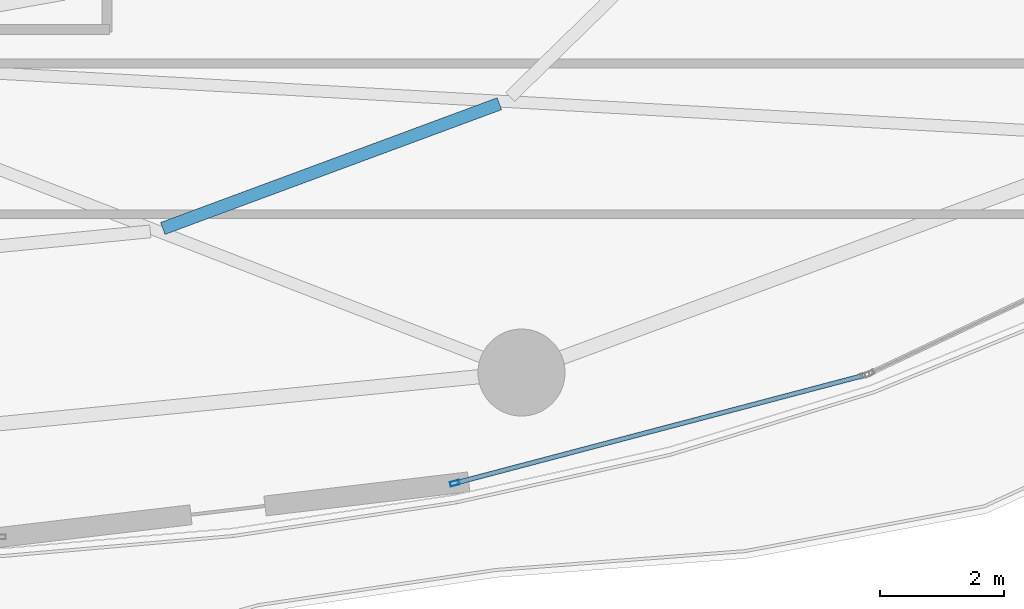
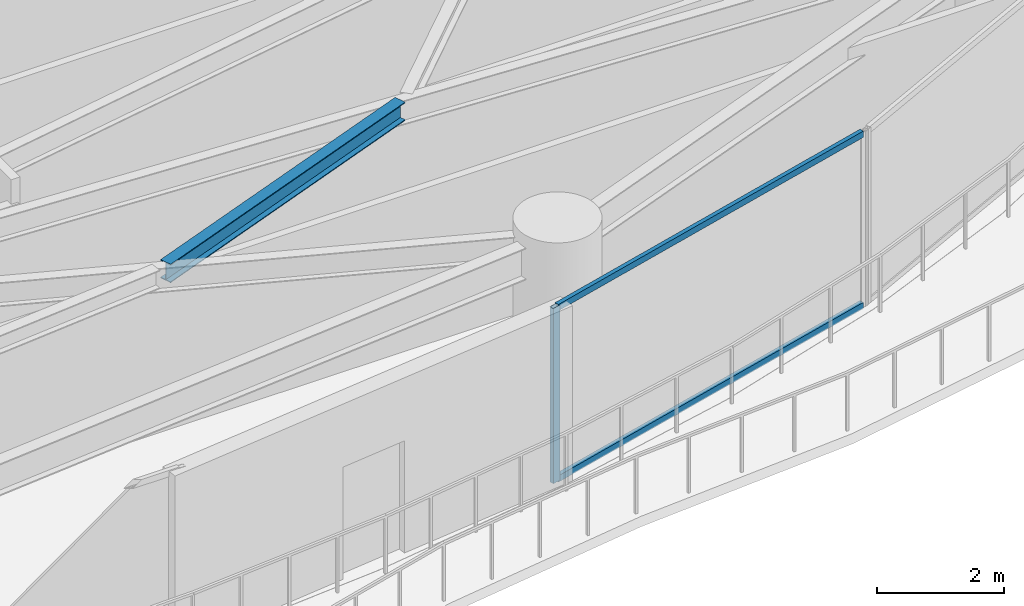
# One storey, part 12 of 31: 3 members, 1 beam, 1 element without a shape of its own.
"""IFC4 building model written with IfcOpenShell, lengths in metres."""

from ifc_helpers import new_model, si_unit, direction, frame, origin, origin_2d, place, context, subcontext, project, spatial, hollow_rectangle, i_section, extrude, material, layer, layer_set, material_profile, profile_set, type_object, element, aggregate, save


model = new_model("IFC4")

# Units and contexts
model_context = context("Model", 3, precision=1e-05, world=origin(), true_north=direction((0.0, 1.0)))
body_context = subcontext(model_context, "Body", "Model", "MODEL_VIEW")
ifc_project = project(units=[si_unit("LENGTHUNIT", "METRE"), si_unit("AREAUNIT", "SQUARE_METRE"), si_unit("VOLUMEUNIT", "CUBIC_METRE"), si_unit("PLANEANGLEUNIT", "RADIAN"), si_unit("MASSUNIT", "GRAM", prefix="KILO")], contexts=[model_context])

# Site, building, storey
site_placement = place(None, origin())
site = spatial("IfcSite", under=ifc_project, at=site_placement, CompositionType="ELEMENT")
building_placement = place(site_placement, origin())
building = spatial("IfcBuilding", under=site, at=building_placement, Name="Kazevale Care Tower and Concert Hall", CompositionType="ELEMENT")
storey_placement = place(building_placement, frame((0.0, 0.0, 81.60009765625)))
storey = spatial("IfcBuildingStorey", under=building, at=storey_placement, Name="L21", CompositionType="ELEMENT", Elevation=81.60009765625)

# Curtain wall, members
ifc_material_1 = material(Name="Aluminium 6063-T6 and Low-E Glass", Category="aluminium")
ifc_layer = layer(ifc_material_1, 0.179931640625)
ifc_layer_set = layer_set([ifc_layer], Name="Aluminium 6063-T6 and Low-E Glass")
curtain_wall_type = type_object("IfcCurtainWallType", Name="Sheltered Concave Balcony Curtain Wall CW-5", PredefinedType="NOTDEFINED", material=ifc_layer_set)
curtain_wall_placement = place(storey_placement, origin())
curtain_wall = element("IfcCurtainWall", 1, at=curtain_wall_placement, inside=storey, type_object=curtain_wall_type, Name="cw:L21:f04", PredefinedType="NOTDEFINED")
ifc_material_2 = material(Name="Aluminium 6063-T6", Category="aluminium")
ifc_material_profile_1 = material_profile(ifc_material_2, hollow_rectangle(XDim=0.074951171875, YDim=0.14990234375, WallThickness=0.00390625, at=origin_2d()), Name="ALU75x150x4")
ifc_profile_set_1 = profile_set([ifc_material_profile_1], Name="Aluminium 6063-T6")
member_type_1 = type_object("IfcMemberType", Name="CW-5 Mullion ALU75x150x4", PredefinedType="MULLION", material=ifc_profile_set_1)
member_1_placement = place(storey_placement, frame((55.96826171875, 16.75048828125, 0.0), z_axis=(0.0, 0.0, 1.0), x_axis=(0.254828630267, -0.966986230097, 0.0)))
member_1 = element("IfcMember", 2, at=member_1_placement, type_object=member_type_1, Name="CW-5 mullion 2", PredefinedType="MULLION", context=body_context, shape_type="SweptSolid", body=[
    extrude(hollow_rectangle(XDim=0.074951171875, YDim=0.14990234375, WallThickness=0.00390625, at=origin_2d()), origin(), (0.0, 0.0, 1.0), 3.35986328125),
])
ifc_material_profile_2 = material_profile(ifc_material_2, hollow_rectangle(XDim=0.074951171875, YDim=0.1201171875, WallThickness=0.00390625, at=origin_2d()), Name="ALU75x120x4")
ifc_profile_set_2 = profile_set([ifc_material_profile_2], Name="Aluminium 6063-T6")
member_type_2 = type_object("IfcMemberType", Name="CW-5 Transom ALU75x120x4", PredefinedType="USERDEFINED", material=ifc_profile_set_2)
member_2_placement = place(storey_placement, frame((62.530517578125, 18.47998046875, 0.037353515625), z_axis=(-0.966978405759, -0.254858319064, 0.0), x_axis=(0.254858319064, -0.966978405759, 0.0)))
member_2 = element("IfcMember", 3, at=member_2_placement, type_object=member_type_2, Name="CW-5 transom 1.1", ObjectType="TRANSOM", PredefinedType="USERDEFINED", context=body_context, shape_type="SweptSolid", body=[
    extrude(hollow_rectangle(XDim=0.074951171875, YDim=0.1201171875, WallThickness=0.00390625, at=origin_2d()), origin(), (0.0, 0.0, 1.0), 6.748779296875),
])
member_3_placement = place(storey_placement, frame((62.530517578125, 18.47998046875, 3.322509765625), z_axis=(-0.966978405759, -0.254858319064, 0.0), x_axis=(0.254858319064, -0.966978405759, 0.0)))
member_3 = element("IfcMember", 4, at=member_3_placement, type_object=member_type_2, Name="CW-5 transom 1.2", ObjectType="TRANSOM", PredefinedType="USERDEFINED", context=body_context, shape_type="SweptSolid", body=[
    extrude(hollow_rectangle(XDim=0.074951171875, YDim=0.1201171875, WallThickness=0.00390625, at=origin_2d()), origin(), (0.0, 0.0, 1.0), 6.748779296875),
])
aggregate(curtain_wall, [member_1, member_2, member_3])

# Beam
ifc_material_3 = material(Name="Steel ASTM A572 Gr 50", Category="steel")
ifc_material_profile_3 = material_profile(ifc_material_3, i_section(OverallWidth=0.205078125, OverallDepth=0.35400390625, WebThickness=0.009521484375, FlangeThickness=0.016845703125, at=origin_2d()), Name="W360x79")
ifc_profile_set_3 = profile_set([ifc_material_profile_3], Name="Steel ASTM A572 Gr 50")
beam_type = type_object("IfcBeamType", Name="Secondary Floor Joist W360x79", PredefinedType="JOIST", material=ifc_profile_set_3)
beam_placement = place(storey_placement, frame((51.27001953125, 20.847900390625, 3.182861328125), z_axis=(0.937698254396, 0.347450692477, 0.0), x_axis=(-0.347450692477, 0.937698254396, 0.0)))
element("IfcBeam", 5, at=beam_placement, inside=storey, type_object=beam_type, Name="beam:L21:joist:14", PredefinedType="JOIST", context=body_context, shape_type="SweptSolid", body=[
    extrude(i_section(OverallWidth=0.205078125, OverallDepth=0.35400390625, WebThickness=0.009521484375, FlangeThickness=0.016845703125, at=origin_2d()), origin(), (0.0, 0.0, 1.0), 5.773681640625),
])

save(model, "model.ifc")
